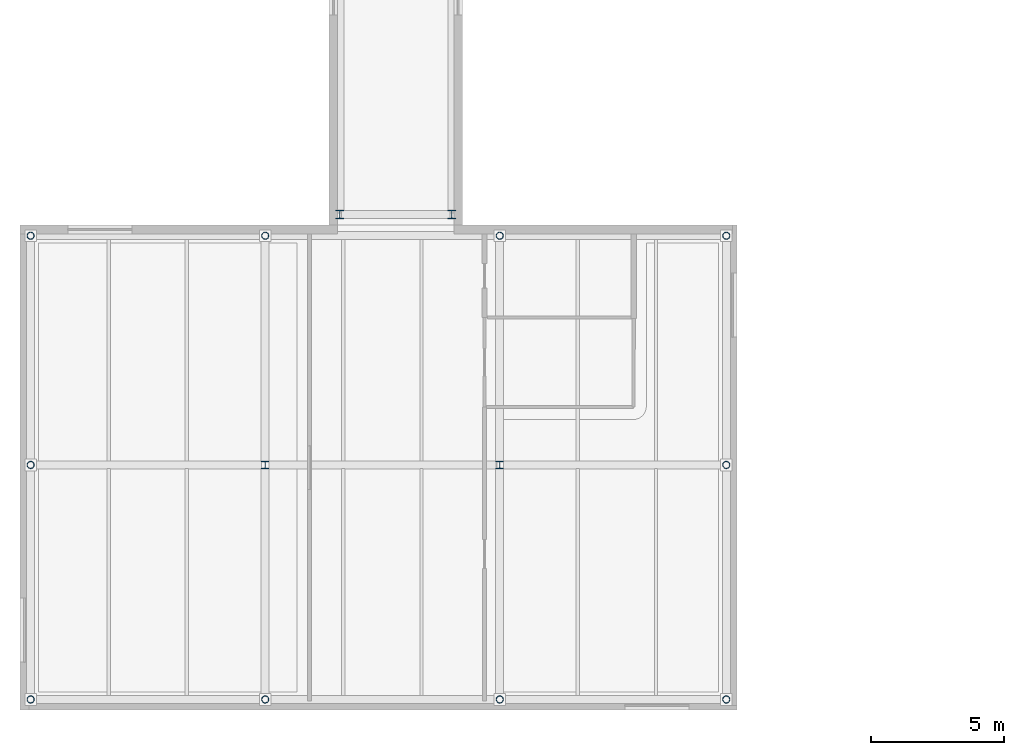
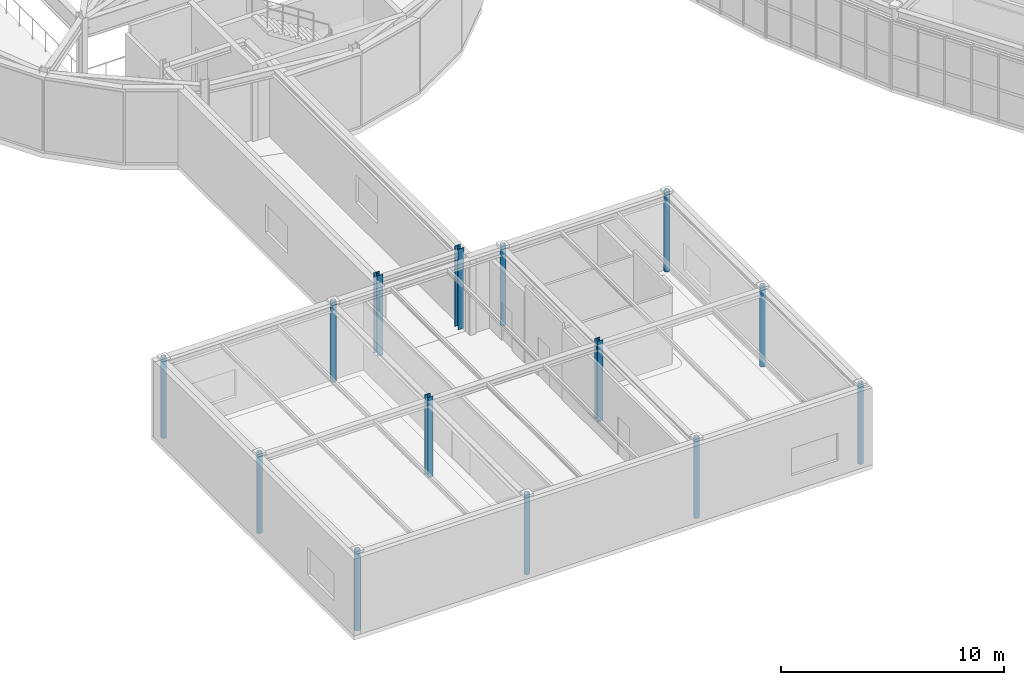
# One storey, part 1 of 103: 14 columns.
"""IFC4 building model written with IfcOpenShell, lengths in metres."""

from ifc_helpers import new_model, si_unit, direction, frame, origin, origin_2d, place, context, subcontext, project, spatial, hollow_circle, i_section, extrude, material, material_profile, profile_set, type_object, element, save


model = new_model("IFC4")

# Units and contexts
model_context = context("Model", 3, precision=1e-05, world=origin(), true_north=direction((0.0, 1.0)))
body_context = subcontext(model_context, "Body", "Model", "MODEL_VIEW")
ifc_project = project(units=[si_unit("LENGTHUNIT", "METRE"), si_unit("AREAUNIT", "SQUARE_METRE"), si_unit("VOLUMEUNIT", "CUBIC_METRE"), si_unit("PLANEANGLEUNIT", "RADIAN"), si_unit("MASSUNIT", "GRAM", prefix="KILO")], contexts=[model_context])

# Site, building, storey
site_placement = place(None, origin())
site = spatial("IfcSite", under=ifc_project, at=site_placement, CompositionType="ELEMENT")
building_placement = place(site_placement, origin())
building = spatial("IfcBuilding", under=site, at=building_placement, Name="Varnklinge Art Gallery", CompositionType="ELEMENT")
storey_placement = place(building_placement, frame((0.0, 0.0, 5.10009765625)))
storey = spatial("IfcBuildingStorey", under=building, at=storey_placement, Name="L01", CompositionType="ELEMENT", Elevation=5.10009765625)

# Columns
ifc_material_1 = material(Name="Steel S355", Category="steel")
ifc_material_profile_1 = material_profile(ifc_material_1, i_section(OverallWidth=0.300048828125, OverallDepth=0.320068359375, WebThickness=0.011474609375, FlangeThickness=0.0205078125, FilletRadius=0.027099609375, at=origin_2d()), Name="HEB 320")
ifc_profile_set_1 = profile_set([ifc_material_profile_1], Name="Steel S355")
column_type_1 = type_object("IfcColumnType", Name="COL-09", PredefinedType="COLUMN", material=ifc_profile_set_1)
for number, where, z_axis, x_axis, name in (
    (1, (15.60009765625, 22.0, 0.0), (0.0, 0.0, 1.0), (1.0, 0.0, 0.0), "L01 Column LNK-SW-C1"),
    (2, (19.800048828125, 22.0, 0.0), (0.0, 0.0, 1.0), (1.0, 0.0, 0.0), "L01 Column LNK-SW-C2"),
):
    element("IfcColumn", number, at=place(storey_placement, frame(where, z_axis=z_axis, x_axis=x_axis)), inside=storey, type_object=column_type_1, Name=name, PredefinedType="COLUMN", context=body_context, shape_type="SweptSolid", body=[
        extrude(i_section(OverallWidth=0.300048828125, OverallDepth=0.320068359375, WebThickness=0.011474609375, FlangeThickness=0.0205078125, FilletRadius=0.027099609375, at=origin_2d()), origin(), (0.0, 0.0, 1.0), 4.419921875),
    ])
ifc_material_2 = material(Name="Steel S355", Category="steel")
ifc_material_profile_2 = material_profile(ifc_material_2, i_section(OverallWidth=0.280029296875, OverallDepth=0.280029296875, WebThickness=0.010498046875, FlangeThickness=0.01806640625, FilletRadius=0.02392578125, at=origin_2d()), Name="HEB 280")
ifc_profile_set_2 = profile_set([ifc_material_profile_2], Name="Steel S355")
column_type_2 = type_object("IfcColumnType", Name="COL-11", PredefinedType="COLUMN", material=ifc_profile_set_2)
for number, where, z_axis, x_axis, name in (
    (3, (12.800048828125, 12.60009765625, 0.0), (0.0, 0.0, 1.0), (1.0, 0.0, 0.0), "L01 Column V6SW-2-2"),
    (4, (21.60009765625, 12.60009765625, 0.0), (0.0, 0.0, 1.0), (1.0, 0.0, 0.0), "L01 Column V6SW-3-2"),
):
    element("IfcColumn", number, at=place(storey_placement, frame(where, z_axis=z_axis, x_axis=x_axis)), inside=storey, type_object=column_type_2, Name=name, PredefinedType="COLUMN", context=body_context, shape_type="SweptSolid", body=[
        extrude(i_section(OverallWidth=0.280029296875, OverallDepth=0.280029296875, WebThickness=0.010498046875, FlangeThickness=0.01806640625, FilletRadius=0.02392578125, at=origin_2d()), origin(), (0.0, 0.0, 1.0), 4.419921875),
    ])
ifc_material_3 = material(Name="Steel S355", Category="steel")
ifc_material_profile_3 = material_profile(ifc_material_3, hollow_circle(Radius=0.136474609375, WallThickness=0.012451171875, at=origin_2d()), Name="CHS 273x12.5")
ifc_profile_set_3 = profile_set([ifc_material_profile_3], Name="Steel S355")
column_type_3 = type_object("IfcColumnType", Name="COL-E7", PredefinedType="COLUMN", material=ifc_profile_set_3)
for number, where, z_axis, x_axis, name in (
    (5, (4.0, 3.800048828125, 0.0), (0.0, 0.0, 1.0), (1.0, 0.0, 0.0), "L01 Column V6SW-1-1"),
    (6, (4.0, 12.60009765625, 0.0), (0.0, 0.0, 1.0), (1.0, 0.0, 0.0), "L01 Column V6SW-1-2"),
    (7, (4.0, 21.199951171875, 0.0), (0.0, 0.0, 1.0), (1.0, 0.0, 0.0), "L01 Column V6SW-1-3"),
    (8, (12.800048828125, 3.800048828125, 0.0), (0.0, 0.0, 1.0), (1.0, 0.0, 0.0), "L01 Column V6SW-2-1"),
    (9, (12.800048828125, 21.199951171875, 0.0), (0.0, 0.0, 1.0), (1.0, 0.0, 0.0), "L01 Column V6SW-2-3"),
    (10, (21.60009765625, 3.800048828125, 0.0), (0.0, 0.0, 1.0), (1.0, 0.0, 0.0), "L01 Column V6SW-3-1"),
    (11, (21.60009765625, 21.199951171875, 0.0), (0.0, 0.0, 1.0), (1.0, 0.0, 0.0), "L01 Column V6SW-3-3"),
    (12, (30.10009765625, 3.800048828125, 0.0), (0.0, 0.0, 1.0), (1.0, 0.0, 0.0), "L01 Column V6SW-4-1"),
    (13, (30.10009765625, 12.60009765625, 0.0), (0.0, 0.0, 1.0), (1.0, 0.0, 0.0), "L01 Column V6SW-4-2"),
    (14, (30.10009765625, 21.199951171875, 0.0), (0.0, 0.0, 1.0), (1.0, 0.0, 0.0), "L01 Column V6SW-4-3"),
):
    element("IfcColumn", number, at=place(storey_placement, frame(where, z_axis=z_axis, x_axis=x_axis)), inside=storey, type_object=column_type_3, Name=name, PredefinedType="COLUMN", context=body_context, shape_type="SweptSolid", body=[
        extrude(hollow_circle(Radius=0.136474609375, WallThickness=0.012451171875, at=origin_2d()), origin(), (0.0, 0.0, 1.0), 4.419921875),
    ])

save(model, "model.ifc")
